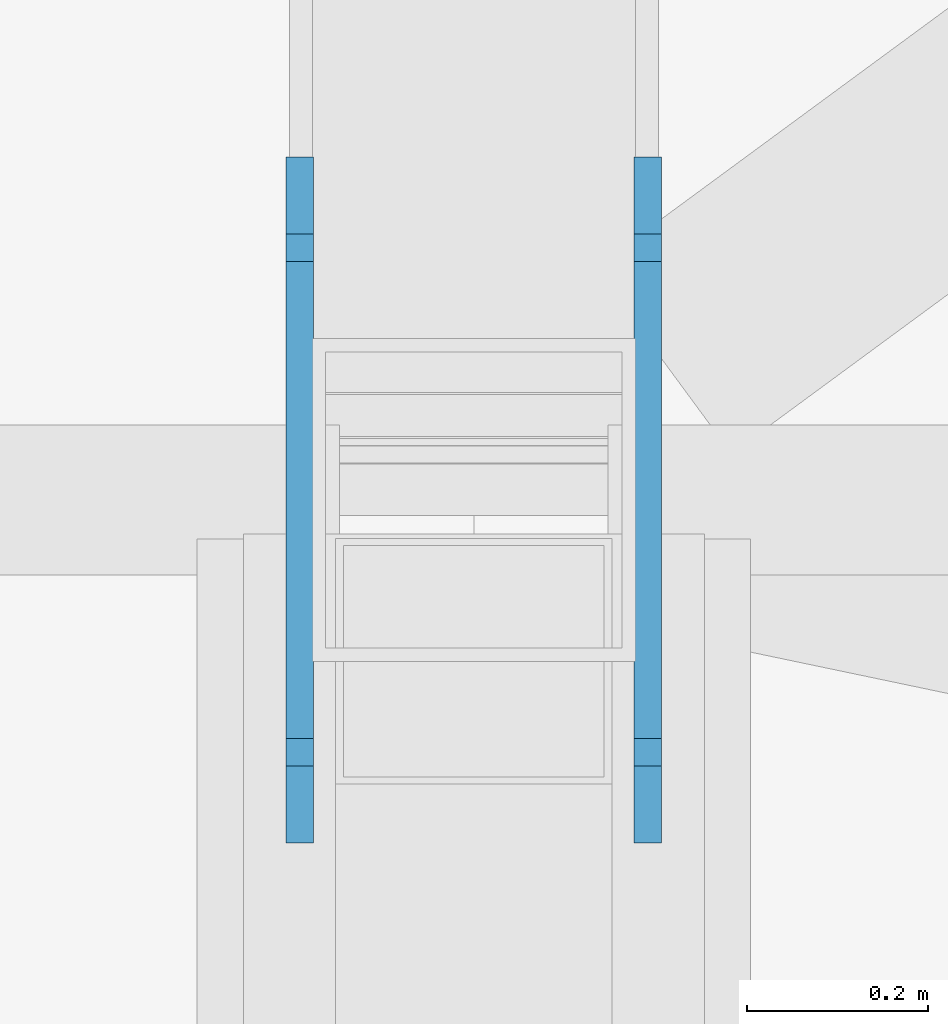
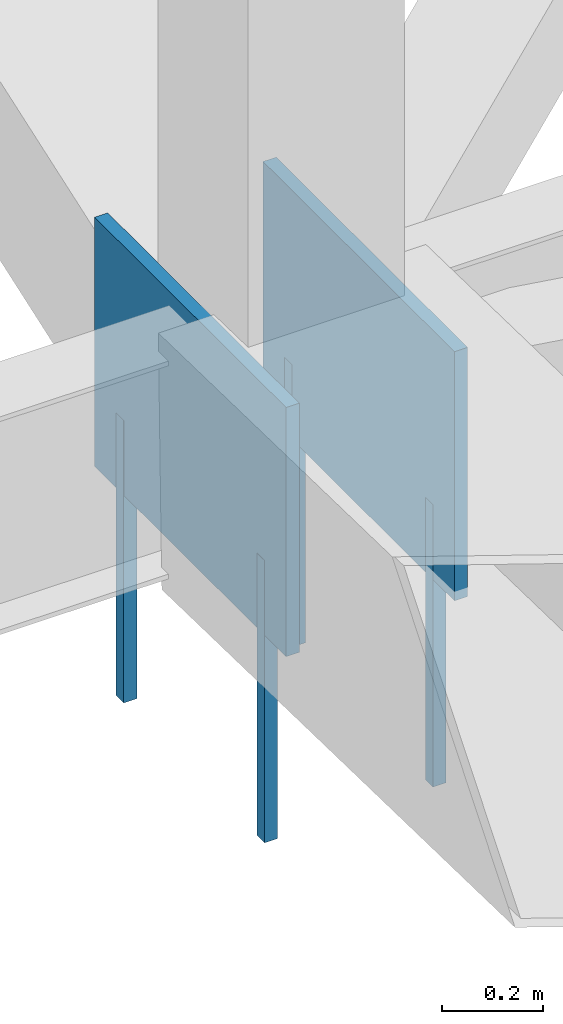
# One storey, part 232 of 278: 4 mechanical fasteners, 2 discrete accessories.
"""IFC4 building model written with IfcOpenShell, lengths in metres."""

import ifcopenshell
import ifcopenshell.guid

model = None  # the IFC model being written
_history = None  # IfcOwnerHistory: only IFC2X3 demands one
_inside = {}  # id of a spatial element -> (the spatial element, [elements in it])
_under = {}  # id of a project, library or spatial element -> (it, [spatial elements below it])
_declared = {}  # id of a project -> (the project, [libraries it declares])
_typed = {}  # id of a type object -> (the type object, [elements of that type])
_made_of = {}  # id of a material, layer set ... -> (it, [elements and type objects made of it])


def new_model(schema):
    """Start an empty IFC model of exactly this schema.

    Asked for "IFC4X3", IfcOpenShell would pick the latest addendum, in which some entities
    have other attributes; the version numbers below select the first issue.
    IFC2X3 requires an IfcOwnerHistory on every rooted entity: one is made here for all.
    """
    global model, _history
    if schema == "IFC4X3":
        model = ifcopenshell.file(schema_version=(4, 3, 0, 0))
    else:
        model = ifcopenshell.file(schema=schema)
    _inside.clear()
    _under.clear()
    _declared.clear()
    _typed.clear()
    _made_of.clear()
    _history = None
    if model.schema == "IFC2X3":
        org = make("IfcOrganization", Name="unknown")
        user = make(
            "IfcPersonAndOrganization",
            ThePerson=make("IfcPerson", FamilyName="unknown"),
            TheOrganization=org,
        )
        app = make(
            "IfcApplication",
            ApplicationDeveloper=org,
            Version="unknown",
            ApplicationFullName="unknown",
            ApplicationIdentifier="unknown",
        )
        _history = make(
            "IfcOwnerHistory",
            OwningUser=user,
            OwningApplication=app,
            ChangeAction="ADDED",
            CreationDate=0,
        )
    return model


def make(cls, **values):
    """One entity of the class cls with the attributes given. An attribute that is None is left unset."""
    return model.create_entity(
        cls, **{name: value for name, value in values.items() if value is not None}
    )


def rooted(cls, **values):
    """An entity with a GlobalId (a new one), such as an element, a storey or a relation."""
    return make(cls, GlobalId=ifcopenshell.guid.new(), OwnerHistory=_history, **values)


def si_unit(unit_type, name, prefix=None):
    """IfcSIUnit, for example si_unit("LENGTHUNIT", "METRE", prefix="MILLI")."""
    return make("IfcSIUnit", UnitType=unit_type, Prefix=prefix, Name=name)


def assignment(units):
    """IfcUnitAssignment: the units of a project."""
    return None if units is None else make("IfcUnitAssignment", Units=units)


def point(xyz):
    """IfcCartesianPoint."""
    return None if xyz is None else make("IfcCartesianPoint", Coordinates=xyz)


def direction(xyz):
    """IfcDirection."""
    return None if xyz is None else make("IfcDirection", DirectionRatios=xyz)


def frame(location, z_axis=None, x_axis=None):
    """IfcAxis2Placement3D, a coordinate frame: its origin and axes. An axis left out is left unset."""
    return make(
        "IfcAxis2Placement3D",
        Location=point(location),
        Axis=direction(z_axis),
        RefDirection=direction(x_axis),
    )


def frame_2d(location, x_axis=None):
    """IfcAxis2Placement2D, a coordinate frame in the plane: its origin and x axis."""
    return make(
        "IfcAxis2Placement2D", Location=point(location), RefDirection=direction(x_axis)
    )


def origin():
    """The frame at (0, 0, 0) with its axes left unset."""
    return frame((0.0, 0.0, 0.0))


def origin_2d():
    """The frame at (0, 0) in the plane with its x axis left unset."""
    return frame_2d((0.0, 0.0))


def place(relative_to, where):
    """IfcLocalPlacement: puts the frame where relative to a parent placement (None: the world)."""
    return make(
        "IfcLocalPlacement", PlacementRelTo=relative_to, RelativePlacement=where
    )


def context(
    kind, dimensions, precision=None, world=None, true_north=None, identifier=None
):
    """IfcGeometricRepresentationContext, for example the 3D "Model" context."""
    return make(
        "IfcGeometricRepresentationContext",
        ContextIdentifier=identifier,
        ContextType=kind,
        CoordinateSpaceDimension=dimensions,
        Precision=precision,
        WorldCoordinateSystem=world,
        TrueNorth=true_north,
    )


def subcontext(parent, identifier, kind, view, scale=None):
    """IfcGeometricRepresentationSubContext, for example "Body" below "Model"."""
    return make(
        "IfcGeometricRepresentationSubContext",
        ContextIdentifier=identifier,
        ContextType=kind,
        ParentContext=parent,
        TargetScale=scale,
        TargetView=view,
    )


def project(units=None, contexts=None):
    """IfcProject with its units and contexts."""
    return rooted(
        "IfcProject",
        Name="project",
        RepresentationContexts=contexts,
        UnitsInContext=assignment(units),
    )


def spatial(cls, under=None, at=None, **own):
    """A site, building, storey or space (cls), placed at a placement, below another one or the project."""
    s = rooted(cls, ObjectPlacement=at, **own)
    if under is not None:
        _under.setdefault(under.id(), (under, []))[1].append(s)
    return s


def profile(cls, at=None, kind="AREA", **sizes):
    """A parametric profile (cls). Its sizes go by their IFC names, for example OverallWidth=200.0."""
    return make(cls, ProfileType=kind, Position=at, **sizes)


def rectangle(**sizes):
    """IfcRectangleProfileDef."""
    return profile("IfcRectangleProfileDef", **sizes)


def extrude(swept, where, along, depth):
    """IfcExtrudedAreaSolid: the profile swept, set in the frame where, extruded along a direction by depth."""
    return make(
        "IfcExtrudedAreaSolid",
        SweptArea=swept,
        Position=where,
        ExtrudedDirection=direction(along),
        Depth=depth,
    )


def shape(context_of_items, identifier, shape_type, items):
    """IfcShapeRepresentation: the items that make up one representation, for example the "Body"."""
    return make(
        "IfcShapeRepresentation",
        ContextOfItems=context_of_items,
        RepresentationIdentifier=identifier,
        RepresentationType=shape_type,
        Items=items,
    )


def material(Name=None, Category=None):
    """IfcMaterial."""
    return make("IfcMaterial", Name=Name, Category=Category)


def layer(
    of_material, thickness, ventilated=None, Name=None, Category=None, Priority=None
):
    """IfcMaterialLayer: one layer of a wall or slab, of a material (None: an air gap)."""
    return make(
        "IfcMaterialLayer",
        Material=of_material,
        LayerThickness=thickness,
        IsVentilated=ventilated,
        Name=Name,
        Category=Category,
        Priority=Priority,
    )


def layer_set(layers, Name=None):
    """IfcMaterialLayerSet."""
    return make("IfcMaterialLayerSet", MaterialLayers=layers, LayerSetName=Name)


def made_of(thing, what):
    """Note that an element or type object is made of a material, layer set ...; save() writes the relation."""
    if what is not None:
        _made_of.setdefault(what.id(), (what, []))[1].append(thing)
    return thing


def type_object(cls, material=None, **own):
    """A type object (cls), such as IfcWallType, which elements share."""
    return made_of(rooted(cls, **own), material)


def element(
    cls,
    number,
    at=None,
    inside=None,
    cuts=None,
    type_object=None,
    material=None,
    context=None,
    identifier="Body",
    shape_type=None,
    held_by="IfcProductDefinitionShape",
    body=None,
    shapes=None,
    **own,
):
    """One element of the class cls, such as IfcWall. Its Tag is "e" and its number.

    at: its placement. inside: the storey or other place that contains it. cuts: it is an
    opening in that element (IfcRelVoidsElement). A single representation is given by context,
    identifier, shape_type and body (its items); several are given by shapes. held_by: the class
    of the entity that holds the representations. save() writes the other relations.
    """
    e = rooted(cls, Tag="e%d" % number, ObjectPlacement=at, **own)
    if body is not None:
        shapes = [shape(context, identifier, shape_type, body)]
    if shapes is not None:
        e.Representation = make(held_by, Representations=shapes)
    if inside is not None:
        _inside.setdefault(inside.id(), (inside, []))[1].append(e)
    if cuts is not None:
        rooted(
            "IfcRelVoidsElement", RelatingBuildingElement=cuts, RelatedOpeningElement=e
        )
    if type_object is not None:
        _typed.setdefault(type_object.id(), (type_object, []))[1].append(e)
    return made_of(e, material)


def aggregate(whole, parts):
    """IfcRelAggregates: a whole, such as a stair, and the parts it consists of."""
    return rooted("IfcRelAggregates", RelatingObject=whole, RelatedObjects=parts)


def save(model, path):
    """Write the relations noted so far, then the file.

    IfcRelAggregates (storeys below a building ...), IfcRelContainedInSpatialStructure (elements
    in a storey), IfcRelDefinesByType, IfcRelAssociatesMaterial and IfcRelDeclares: one each for
    every whole, place, type object, material and project.
    """
    for whole, parts in _under.values():
        aggregate(whole, parts)
    for where, things in _inside.values():
        rooted(
            "IfcRelContainedInSpatialStructure",
            RelatedElements=things,
            RelatingStructure=where,
        )
    for kind, things in _typed.values():
        rooted("IfcRelDefinesByType", RelatedObjects=things, RelatingType=kind)
    for what, things in _made_of.values():
        rooted("IfcRelAssociatesMaterial", RelatedObjects=things, RelatingMaterial=what)
    for by, libraries in _declared.values():
        rooted("IfcRelDeclares", RelatingContext=by, RelatedDefinitions=libraries)
    model.write(path)


model = new_model("IFC4")

# Units and contexts
model_context = context("Model", 3, precision=1e-05, world=origin(), true_north=direction((0.0, 1.0)))
body_context = subcontext(model_context, "Body", "Model", "MODEL_VIEW")
ifc_project = project(units=[si_unit("LENGTHUNIT", "METRE"), si_unit("AREAUNIT", "SQUARE_METRE"), si_unit("VOLUMEUNIT", "CUBIC_METRE"), si_unit("PLANEANGLEUNIT", "RADIAN"), si_unit("MASSUNIT", "GRAM", prefix="KILO")], contexts=[model_context])

# Site, building, storey
site_placement = place(None, origin())
site = spatial("IfcSite", under=ifc_project, at=site_placement, CompositionType="ELEMENT")
building_placement = place(site_placement, origin())
building = spatial("IfcBuilding", under=site, at=building_placement, Name="Ogive Plaza Stadium", CompositionType="ELEMENT")
storey_placement = place(building_placement, frame((0.0, 0.0, 29.0)))
storey = spatial("IfcBuildingStorey", under=building, at=storey_placement, Name="Roof", CompositionType="ELEMENT", Elevation=29.0)

# Mechanical fasteners
ifc_material_1 = material(Name="Steel ASTM A992 Grade 50", Category="steel")
mechanical_fastener_type = type_object("IfcMechanicalFastenerType", Name="Anchor bolt M30 x 600", PredefinedType="ANCHORBOLT", material=ifc_material_1)
for number, where, z_axis, x_axis, name in (
    (1, (-20.591796875, 92.77783203125, -0.5), (0.0, 0.0, 1.0), (0.0, 1.0, 0.0), "ANCHOR BOLT 33 BP 1.1"),
    (2, (-20.591796875, 92.22216796875, -0.5), (0.0, 0.0, 1.0), (0.0, 1.0, 0.0), "ANCHOR BOLT 33 BP 1.2"),
    (3, (-20.208251953125, 92.77783203125, -0.5), (0.0, 0.0, 1.0), (0.0, 1.0, 0.0), "ANCHOR BOLT 33 BP 2.1"),
    (4, (-20.208251953125, 92.22216796875, -0.5), (0.0, 0.0, 1.0), (0.0, 1.0, 0.0), "ANCHOR BOLT 33 BP 2.2"),
):
    element("IfcMechanicalFastener", number, at=place(storey_placement, frame(where, z_axis=z_axis, x_axis=x_axis)), inside=storey, type_object=mechanical_fastener_type, Name=name, PredefinedType="ANCHORBOLT", context=body_context, shape_type="SweptSolid", body=[
        extrude(rectangle(XDim=0.030029296875, YDim=0.030029296875, at=origin_2d()), origin(), (0.0, 0.0, 1.0), 0.679931640625),
    ])

# Discrete accessories
ifc_material_2 = material(Name="Steel ASTM A992 Grade 50", Category="steel")
ifc_layer = layer(ifc_material_2, 0.030029296875)
ifc_layer_set = layer_set([ifc_layer], Name="Steel ASTM A992 Grade 50")
discrete_accessory_type = type_object("IfcDiscreteAccessoryType", Name="Truss root foot cleat plate 30", PredefinedType="ANCHORPLATE", material=ifc_layer_set)
for number, where, z_axis, x_axis, name in (
    (5, (-20.591796875, 92.5, 0.0), (0.0, 0.0, 1.0), (0.0, 1.0, 0.0), "TRUSS ROOT FOOT CLEAT PLATE 33 1"),
    (6, (-20.208251953125, 92.5, 0.0), (0.0, 0.0, 1.0), (0.0, 1.0, 0.0), "TRUSS ROOT FOOT CLEAT PLATE 33 2"),
):
    element("IfcDiscreteAccessory", number, at=place(storey_placement, frame(where, z_axis=z_axis, x_axis=x_axis)), inside=storey, type_object=discrete_accessory_type, Name=name, PredefinedType="ANCHORPLATE", context=body_context, shape_type="SweptSolid", body=[
        extrude(rectangle(XDim=0.755615234375, YDim=0.030029296875, at=origin_2d()), origin(), (0.0, 0.0, 1.0), 0.60009765625),
    ])

save(model, "model.ifc")
